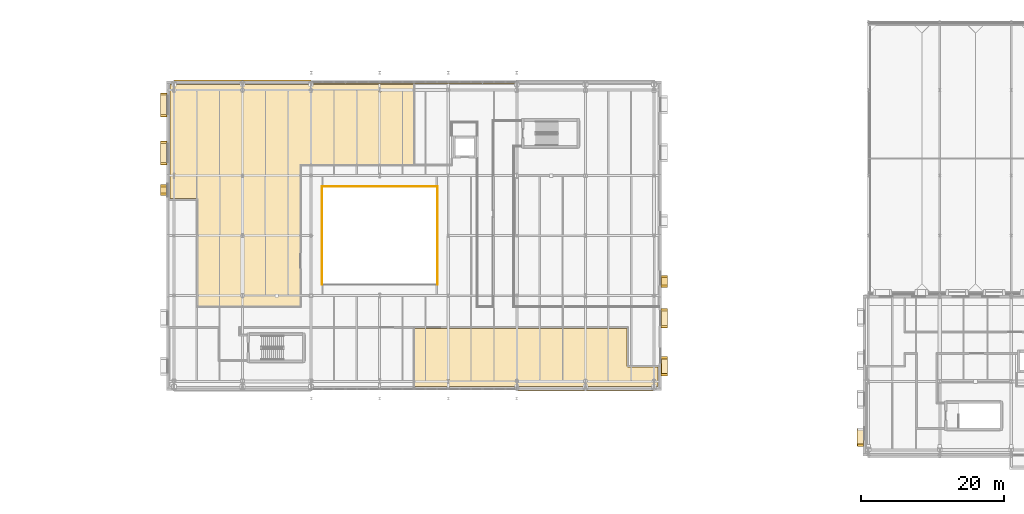
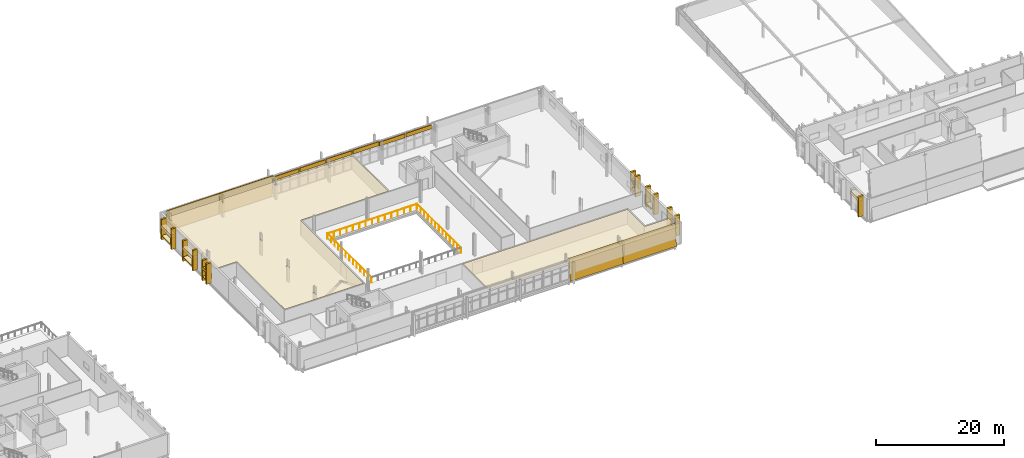
# One storey, part 53 of 57: 38 coverings, 3 railings.
"""IFC4 building model written with IfcOpenShell, lengths in metres."""

from ifc_helpers import new_model, si_unit, direction, frame, origin, origin_2d, place, context, subcontext, project, spatial, polyline, rectangle, circle, outline, extrude, material, layer, layer_set, type_object, element, save


model = new_model("IFC4")

# Units and contexts
model_context = context("Model", 3, precision=1e-05, world=origin(), true_north=direction((0.0, 1.0)))
body_context = subcontext(model_context, "Body", "Model", "MODEL_VIEW")
ifc_project = project(units=[si_unit("LENGTHUNIT", "METRE"), si_unit("AREAUNIT", "SQUARE_METRE"), si_unit("VOLUMEUNIT", "CUBIC_METRE"), si_unit("PLANEANGLEUNIT", "RADIAN"), si_unit("MASSUNIT", "GRAM", prefix="KILO")], contexts=[model_context])

# Site, building, storey
site_placement = place(None, origin())
site = spatial("IfcSite", under=ifc_project, at=site_placement, CompositionType="ELEMENT")
building_placement = place(site_placement, origin())
building = spatial("IfcBuilding", under=site, at=building_placement, Name="Zereglee Splitstone Museum", CompositionType="ELEMENT")
storey_placement = place(building_placement, frame((0.0, 0.0, 17.10009765625)))
storey = spatial("IfcBuildingStorey", under=building, at=storey_placement, Name="L03", CompositionType="ELEMENT", Elevation=17.10009765625)

# Coverings
ifc_material_1 = material(Name="Siberian larch acoustic timber ceiling", Category="wood")
ifc_layer_1 = layer(ifc_material_1, 0.06005859375)
ifc_layer_set_1 = layer_set([ifc_layer_1], Name="Siberian larch acoustic timber ceiling")
covering_type_1 = type_object("IfcCoveringType", Name="CLG-01", PredefinedType="CEILING", material=ifc_layer_set_1)
covering_1_placement = place(storey_placement, frame((0.0, 0.0, 2.760009765625)))
element("IfcCovering", 1, at=covering_1_placement, inside=storey, type_object=covering_type_1, Name="Acoustic Ceiling L03-048", PredefinedType="CEILING", context=body_context, shape_type="SweptSolid", body=[
    extrude(outline(polyline([(111.699951171875, 17.02001953125), (141.419921875, 17.02001953125), (141.419921875, 11.800048828125), (141.419921875, 11.799072265625), (141.4208984375, 11.783203125), (141.4208984375, 11.781494140625), (141.42333984375, 11.765869140625), (141.423583984375, 11.763916015625), (141.427490234375, 11.748779296875), (141.427978515625, 11.746826171875), (141.433349609375, 11.73193359375), (141.43408203125, 11.730224609375), (141.44091796875, 11.716064453125), (141.441650390625, 11.71435546875), (141.44970703125, 11.70068359375), (141.450927734375, 11.69921875), (141.460205078125, 11.6865234375), (141.46142578125, 11.68505859375), (141.471923828125, 11.67333984375), (141.473388671875, 11.672119140625), (141.485107421875, 11.66162109375), (141.486572265625, 11.660400390625), (141.499267578125, 11.65087890625), (141.500732421875, 11.64990234375), (141.514404296875, 11.6416015625), (141.51611328125, 11.640869140625), (141.5302734375, 11.634033203125), (141.531982421875, 11.63330078125), (141.546875, 11.628173828125), (141.548583984375, 11.62744140625), (141.56396484375, 11.623779296875), (141.56591796875, 11.623291015625), (141.581298828125, 11.62109375), (141.583251953125, 11.620849609375), (141.59912109375, 11.6201171875), (141.60009765625, 11.6201171875), (145.739990234375, 11.6201171875), (145.739990234375, 8.860107421875), (111.699951171875, 8.860107421875), (111.699951171875, 17.02001953125)]), holes=[polyline([(135.44189453125, 9.907958984375), (135.44189453125, 9.862060546875), (135.584228515625, 9.862060546875), (135.584228515625, 9.337890625), (135.44189453125, 9.337890625), (135.44189453125, 9.2919921875), (135.758056640625, 9.2919921875), (135.758056640625, 9.337890625), (135.61572265625, 9.337890625), (135.61572265625, 9.862060546875), (135.758056640625, 9.862060546875), (135.758056640625, 9.907958984375), (135.44189453125, 9.907958984375)]), polyline([(126.080810546875, 9.40478515625), (126.1171875, 9.42431640625), (126.1494140625, 9.45068359375), (126.175537109375, 9.482666015625), (126.195068359375, 9.519287109375), (126.20703125, 9.558837890625), (126.211181640625, 9.60009765625), (126.20703125, 9.64111328125), (126.195068359375, 9.680908203125), (126.175537109375, 9.71728515625), (126.1494140625, 9.749267578125), (126.1171875, 9.775634765625), (126.080810546875, 9.795166015625), (126.041259765625, 9.80712890625), (126.0, 9.811279296875), (125.958740234375, 9.80712890625), (125.919189453125, 9.795166015625), (125.8828125, 9.775634765625), (125.8505859375, 9.749267578125), (125.824462890625, 9.71728515625), (125.804931640625, 9.680908203125), (125.79296875, 9.64111328125), (125.788818359375, 9.60009765625), (125.79296875, 9.558837890625), (125.804931640625, 9.519287109375), (125.824462890625, 9.482666015625), (125.8505859375, 9.45068359375), (125.8828125, 9.42431640625), (125.919189453125, 9.40478515625), (125.958740234375, 9.392822265625), (126.0, 9.388916015625), (126.041259765625, 9.392822265625), (126.080810546875, 9.40478515625)]), polyline([(145.35791015625, 9.7880859375), (145.0419921875, 9.7880859375), (145.0419921875, 9.74951171875), (145.185791015625, 9.74951171875), (145.185791015625, 9.450439453125), (145.0419921875, 9.450439453125), (145.0419921875, 9.412109375), (145.35791015625, 9.412109375), (145.35791015625, 9.450439453125), (145.214111328125, 9.450439453125), (145.214111328125, 9.74951171875), (145.35791015625, 9.74951171875), (145.35791015625, 9.7880859375)]), polyline([(116.55810546875, 9.85791015625), (116.241943359375, 9.85791015625), (116.241943359375, 9.81396484375), (116.384765625, 9.81396484375), (116.384765625, 9.385986328125), (116.241943359375, 9.385986328125), (116.241943359375, 9.342041015625), (116.55810546875, 9.342041015625), (116.55810546875, 9.385986328125), (116.415283203125, 9.385986328125), (116.415283203125, 9.81396484375), (116.55810546875, 9.81396484375), (116.55810546875, 9.85791015625)])]), origin(), (0.0, 0.0, 1.0), 0.059814453125),
])
covering_2_placement = place(storey_placement, frame((0.0, 0.0, 2.760009765625)))
element("IfcCovering", 2, at=covering_2_placement, inside=storey, type_object=covering_type_1, Name="Acoustic Ceiling L03-049", PredefinedType="CEILING", context=body_context, shape_type="SweptSolid", body=[
    extrude(outline(polyline([(81.3798828125, 35.0), (81.3798828125, 35.0009765625), (81.379150390625, 35.0166015625), (81.37890625, 35.0185546875), (81.376708984375, 35.0341796875), (81.376220703125, 35.0361328125), (81.37255859375, 35.05126953125), (81.371826171875, 35.05322265625), (81.36669921875, 35.068115234375), (81.365966796875, 35.06982421875), (81.359130859375, 35.083984375), (81.3583984375, 35.085693359375), (81.35009765625, 35.09912109375), (81.34912109375, 35.100830078125), (81.339599609375, 35.11328125), (81.33837890625, 35.114990234375), (81.327880859375, 35.126708984375), (81.32666015625, 35.1279296875), (81.31494140625, 35.138427734375), (81.3134765625, 35.1396484375), (81.30078125, 35.149169921875), (81.29931640625, 35.150146484375), (81.28564453125, 35.158203125), (81.283935546875, 35.1591796875), (81.269775390625, 35.166015625), (81.26806640625, 35.166748046875), (81.253173828125, 35.171875), (81.251220703125, 35.172607421875), (81.236083984375, 35.17626953125), (81.234130859375, 35.1767578125), (81.218505859375, 35.178955078125), (81.216796875, 35.17919921875), (81.200927734375, 35.179931640625), (81.199951171875, 35.179931640625), (77.4599609375, 35.179931640625), (77.4599609375, 51.139892578125), (111.5, 51.139892578125), (111.5, 39.97998046875), (95.800048828125, 39.97998046875), (95.799072265625, 39.97998046875), (95.783203125, 39.979248046875), (95.781494140625, 39.97900390625), (95.765869140625, 39.976806640625), (95.763916015625, 39.976318359375), (95.748779296875, 39.972412109375), (95.746826171875, 39.971923828125), (95.73193359375, 39.966796875), (95.730224609375, 39.9658203125), (95.716064453125, 39.959228515625), (95.71435546875, 39.958251953125), (95.70068359375, 39.9501953125), (95.69921875, 39.94921875), (95.6865234375, 39.939697265625), (95.68505859375, 39.9384765625), (95.67333984375, 39.927978515625), (95.672119140625, 39.926513671875), (95.66162109375, 39.914794921875), (95.660400390625, 39.913330078125), (95.65087890625, 39.90087890625), (95.64990234375, 39.899169921875), (95.6416015625, 39.8857421875), (95.640869140625, 39.884033203125), (95.634033203125, 39.869873046875), (95.63330078125, 39.867919921875), (95.628173828125, 39.853271484375), (95.62744140625, 39.851318359375), (95.623779296875, 39.836181640625), (95.623291015625, 39.833984375), (95.62109375, 39.818603515625), (95.620849609375, 39.816650390625), (95.6201171875, 39.801025390625), (95.6201171875, 39.800048828125), (95.6201171875, 20.199951171875), (95.6201171875, 20.198974609375), (95.620849609375, 20.183349609375), (95.62109375, 20.181396484375), (95.62109375, 20.179931640625), (81.3798828125, 20.179931640625), (81.3798828125, 35.0)]), holes=[polyline([(87.758056640625, 21.883056640625), (87.44189453125, 21.883056640625), (87.44189453125, 21.837890625), (87.58447265625, 21.837890625), (87.58447265625, 21.362060546875), (87.44189453125, 21.362060546875), (87.44189453125, 21.31689453125), (87.758056640625, 21.31689453125), (87.758056640625, 21.362060546875), (87.615478515625, 21.362060546875), (87.615478515625, 21.837890625), (87.758056640625, 21.837890625), (87.758056640625, 21.883056640625)]), polyline([(87.44189453125, 30.258056640625), (87.44189453125, 30.214111328125), (87.584716796875, 30.214111328125), (87.584716796875, 29.785888671875), (87.44189453125, 29.785888671875), (87.44189453125, 29.741943359375), (87.758056640625, 29.741943359375), (87.758056640625, 29.785888671875), (87.615234375, 29.785888671875), (87.615234375, 30.214111328125), (87.758056640625, 30.214111328125), (87.758056640625, 30.258056640625), (87.44189453125, 30.258056640625)]), polyline([(78.157958984375, 38.758056640625), (77.842041015625, 38.758056640625), (77.842041015625, 38.7099609375), (77.9833984375, 38.7099609375), (77.9833984375, 38.090087890625), (77.842041015625, 38.090087890625), (77.842041015625, 38.0419921875), (78.157958984375, 38.0419921875), (78.157958984375, 38.090087890625), (78.0166015625, 38.090087890625), (78.0166015625, 38.7099609375), (78.157958984375, 38.7099609375), (78.157958984375, 38.758056640625)]), polyline([(87.44189453125, 38.633056640625), (87.44189453125, 38.591064453125), (87.5849609375, 38.591064453125), (87.5849609375, 38.208984375), (87.44189453125, 38.208984375), (87.44189453125, 38.1669921875), (87.758056640625, 38.1669921875), (87.758056640625, 38.208984375), (87.614990234375, 38.208984375), (87.614990234375, 38.591064453125), (87.758056640625, 38.591064453125), (87.758056640625, 38.633056640625), (87.44189453125, 38.633056640625)]), polyline([(78.157958984375, 50.73291015625), (77.842041015625, 50.73291015625), (77.842041015625, 50.68603515625), (77.98388671875, 50.68603515625), (77.98388671875, 50.114013671875), (77.842041015625, 50.114013671875), (77.842041015625, 50.06689453125), (78.157958984375, 50.06689453125), (78.157958984375, 50.114013671875), (78.01611328125, 50.114013671875), (78.01611328125, 50.68603515625), (78.157958984375, 50.68603515625), (78.157958984375, 50.73291015625)]), polyline([(87.758056640625, 50.60791015625), (87.44189453125, 50.60791015625), (87.44189453125, 50.568115234375), (87.585205078125, 50.568115234375), (87.585205078125, 50.23193359375), (87.44189453125, 50.23193359375), (87.44189453125, 50.19189453125), (87.758056640625, 50.19189453125), (87.758056640625, 50.23193359375), (87.61474609375, 50.23193359375), (87.61474609375, 50.568115234375), (87.758056640625, 50.568115234375), (87.758056640625, 50.60791015625)]), polyline([(106.64208984375, 50.68310546875), (106.64208984375, 50.637939453125), (106.784423828125, 50.637939453125), (106.784423828125, 50.162109375), (106.64208984375, 50.162109375), (106.64208984375, 50.116943359375), (106.9580078125, 50.116943359375), (106.9580078125, 50.162109375), (106.8154296875, 50.162109375), (106.8154296875, 50.637939453125), (106.9580078125, 50.637939453125), (106.9580078125, 50.68310546875), (106.64208984375, 50.68310546875)]), polyline([(97.0419921875, 50.55810546875), (97.0419921875, 50.241943359375), (97.35791015625, 50.241943359375), (97.35791015625, 50.55810546875), (97.0419921875, 50.55810546875)])]), origin(), (0.0, 0.0, 1.0), 0.059814453125),
])
ifc_material_2 = material(Name="Honed Gobi pale limestone stringcourse and soffit cladding", Category="masonry")
ifc_layer_2 = layer(ifc_material_2, 0.070068359375)
ifc_layer_set_2 = layer_set([ifc_layer_2], Name="Honed Gobi pale limestone stringcourse and soffit cladding")
covering_type_2 = type_object("IfcCoveringType", Name="CL-02", PredefinedType="CLADDING", material=ifc_layer_set_2)
for number, where, z_axis, x_axis, name in (
    (3, (174.074951171875, 0.679931640625, 0.0), (0.0, 0.0, 1.0), (0.0, -1.0, 0.0), "Mughal Window Reveal Stone Pilaster L03-0118R"),
    (4, (76.574951171875, 49.820068359375, 0.0), (0.0, 0.0, 1.0), (0.0, -1.0, 0.0), "Mughal Window Reveal Stone Pilaster L03-0125L"),
    (5, (76.574951171875, 46.780029296875, 0.0), (0.0, 0.0, 1.0), (0.0, -1.0, 0.0), "Mughal Window Reveal Stone Pilaster L03-0125R"),
):
    element("IfcCovering", number, at=place(storey_placement, frame(where, z_axis=z_axis, x_axis=x_axis)), inside=storey, type_object=covering_type_2, Name=name, PredefinedType="CLADDING", context=body_context, shape_type="SweptSolid", body=[
        extrude(rectangle(XDim=0.340087890625, YDim=0.860107421875, at=origin_2d()), origin(), (0.0, 0.0, 1.0), 3.89990234375),
    ])
covering_3_placement = place(storey_placement, frame((76.56494140625, 48.300048828125, 0.759765625), z_axis=(0.0, 0.0, 1.0), x_axis=(0.0, -1.0, 0.0)))
element("IfcCovering", 6, at=covering_3_placement, inside=storey, type_object=covering_type_2, Name="Carved Limestone Window Sill L03-0125", PredefinedType="CLADDING", context=body_context, shape_type="SweptSolid", body=[
    extrude(rectangle(XDim=3.239990234375, YDim=0.840087890625, at=origin_2d()), origin(), (0.0, 0.0, 1.0), 0.1201171875),
])
for number, where, z_axis, x_axis, name in (
    (7, (76.574951171875, 43.10009765625, 0.0), (0.0, 0.0, 1.0), (0.0, -1.0, 0.0), "Mughal Window Reveal Stone Pilaster L03-0126L"),
    (8, (76.574951171875, 40.06005859375, 0.0), (0.0, 0.0, 1.0), (0.0, -1.0, 0.0), "Mughal Window Reveal Stone Pilaster L03-0126R"),
):
    element("IfcCovering", number, at=place(storey_placement, frame(where, z_axis=z_axis, x_axis=x_axis)), inside=storey, type_object=covering_type_2, Name=name, PredefinedType="CLADDING", context=body_context, shape_type="SweptSolid", body=[
        extrude(rectangle(XDim=0.340087890625, YDim=0.860107421875, at=origin_2d()), origin(), (0.0, 0.0, 1.0), 3.89990234375),
    ])
covering_4_placement = place(storey_placement, frame((76.56494140625, 41.580078125, 0.759765625), z_axis=(0.0, 0.0, 1.0), x_axis=(0.0, -1.0, 0.0)))
element("IfcCovering", 9, at=covering_4_placement, inside=storey, type_object=covering_type_2, Name="Carved Limestone Window Sill L03-0126", PredefinedType="CLADDING", context=body_context, shape_type="SweptSolid", body=[
    extrude(rectangle(XDim=3.239990234375, YDim=0.840087890625, at=origin_2d()), origin(), (0.0, 0.0, 1.0), 0.1201171875),
])
for number, where, z_axis, x_axis, name in (
    (10, (76.574951171875, 36.985107421875, 0.0), (0.0, 0.0, 1.0), (0.0, -1.0, 0.0), "Mughal Window Reveal Stone Pilaster L03-0127L"),
    (11, (76.574951171875, 35.794921875, 0.0), (0.0, 0.0, 1.0), (0.0, -1.0, 0.0), "Mughal Window Reveal Stone Pilaster L03-0127R"),
):
    element("IfcCovering", number, at=place(storey_placement, frame(where, z_axis=z_axis, x_axis=x_axis)), inside=storey, type_object=covering_type_2, Name=name, PredefinedType="CLADDING", context=body_context, shape_type="SweptSolid", body=[
        extrude(rectangle(XDim=0.340087890625, YDim=0.860107421875, at=origin_2d()), origin(), (0.0, 0.0, 1.0), 3.89990234375),
    ])
covering_5_placement = place(storey_placement, frame((76.56494140625, 36.389892578125, 0.759765625), z_axis=(0.0, 0.0, 1.0), x_axis=(0.0, -1.0, 0.0)))
element("IfcCovering", 12, at=covering_5_placement, inside=storey, type_object=covering_type_2, Name="Carved Limestone Window Sill L03-0127", PredefinedType="CLADDING", context=body_context, shape_type="SweptSolid", body=[
    extrude(rectangle(XDim=1.389892578125, YDim=0.840087890625, at=origin_2d()), origin(), (0.0, 0.0, 1.0), 0.1201171875),
])
for number, where, z_axis, x_axis, name in (
    (13, (146.625, 10.5048828125, 0.0), (0.0, 0.0, 1.0), (0.0, 1.0, 0.0), "Mughal Window Reveal Stone Pilaster L03-0130L"),
    (14, (146.625, 12.89501953125, 0.0), (0.0, 0.0, 1.0), (0.0, 1.0, 0.0), "Mughal Window Reveal Stone Pilaster L03-0130R"),
):
    element("IfcCovering", number, at=place(storey_placement, frame(where, z_axis=z_axis, x_axis=x_axis)), inside=storey, type_object=covering_type_2, Name=name, PredefinedType="CLADDING", context=body_context, shape_type="SweptSolid", body=[
        extrude(rectangle(XDim=0.340087890625, YDim=0.860107421875, at=origin_2d()), origin(), (0.0, 0.0, 1.0), 3.89990234375),
    ])
covering_6_placement = place(storey_placement, frame((146.635009765625, 11.699951171875, 0.759765625), z_axis=(0.0, 0.0, 1.0), x_axis=(0.0, 1.0, 0.0)))
element("IfcCovering", 15, at=covering_6_placement, inside=storey, type_object=covering_type_2, Name="Carved Limestone Window Sill L03-0130", PredefinedType="CLADDING", context=body_context, shape_type="SweptSolid", body=[
    extrude(rectangle(XDim=2.590087890625, YDim=0.840087890625, at=origin_2d()), origin(), (0.0, 0.0, 1.0), 0.1201171875),
])
for number, where, z_axis, x_axis, name in (
    (16, (146.625, 17.22509765625, 0.0), (0.0, 0.0, 1.0), (0.0, 1.0, 0.0), "Mughal Window Reveal Stone Pilaster L03-0131L"),
    (17, (146.625, 19.614990234375, 0.0), (0.0, 0.0, 1.0), (0.0, 1.0, 0.0), "Mughal Window Reveal Stone Pilaster L03-0131R"),
):
    element("IfcCovering", number, at=place(storey_placement, frame(where, z_axis=z_axis, x_axis=x_axis)), inside=storey, type_object=covering_type_2, Name=name, PredefinedType="CLADDING", context=body_context, shape_type="SweptSolid", body=[
        extrude(rectangle(XDim=0.340087890625, YDim=0.860107421875, at=origin_2d()), origin(), (0.0, 0.0, 1.0), 3.89990234375),
    ])
covering_7_placement = place(storey_placement, frame((146.635009765625, 18.419921875, 0.759765625), z_axis=(0.0, 0.0, 1.0), x_axis=(0.0, 1.0, 0.0)))
element("IfcCovering", 18, at=covering_7_placement, inside=storey, type_object=covering_type_2, Name="Carved Limestone Window Sill L03-0131", PredefinedType="CLADDING", context=body_context, shape_type="SweptSolid", body=[
    extrude(rectangle(XDim=2.590087890625, YDim=0.840087890625, at=origin_2d()), origin(), (0.0, 0.0, 1.0), 0.1201171875),
])
for number, where, z_axis, x_axis, name in (
    (19, (146.625, 22.93994140625, 0.0), (0.0, 0.0, 1.0), (0.0, 1.0, 0.0), "Mughal Window Reveal Stone Pilaster L03-0132L"),
    (20, (146.625, 24.280029296875, 0.0), (0.0, 0.0, 1.0), (0.0, 1.0, 0.0), "Mughal Window Reveal Stone Pilaster L03-0132R"),
):
    element("IfcCovering", number, at=place(storey_placement, frame(where, z_axis=z_axis, x_axis=x_axis)), inside=storey, type_object=covering_type_2, Name=name, PredefinedType="CLADDING", context=body_context, shape_type="SweptSolid", body=[
        extrude(rectangle(XDim=0.340087890625, YDim=0.860107421875, at=origin_2d()), origin(), (0.0, 0.0, 1.0), 3.89990234375),
    ])
covering_8_placement = place(storey_placement, frame((146.635009765625, 23.610107421875, 0.759765625), z_axis=(0.0, 0.0, 1.0), x_axis=(0.0, 1.0, 0.0)))
element("IfcCovering", 21, at=covering_8_placement, inside=storey, type_object=covering_type_2, Name="Carved Limestone Window Sill L03-0132", PredefinedType="CLADDING", context=body_context, shape_type="SweptSolid", body=[
    extrude(rectangle(XDim=1.5400390625, YDim=0.840087890625, at=origin_2d()), origin(), (0.0, 0.0, 1.0), 0.1201171875),
])
for number, where, z_axis, x_axis, name in (
    (22, (123.6201171875, 51.47998046875, 2.804931640625), (0.0, 0.0, 1.0), (-1.0, 0.0, 0.0), "Mughal Carved Clerestory Jaali Frieze RC4-CW-L03-119-1"),
    (23, (118.780029296875, 51.47998046875, 2.784912109375), (0.0, 0.0, 1.0), (-1.0, 0.0, 0.0), "Mughal Carved Clerestory Jaali Frieze RC4-CW-L03-119-2"),
    (24, (114.02001953125, 51.47998046875, 2.9248046875), (0.0, 0.0, 1.0), (-1.0, 0.0, 0.0), "Mughal Carved Clerestory Jaali Frieze RC4-CW-L03-120-1"),
    (25, (109.179931640625, 51.47998046875, 2.90478515625), (0.0, 0.0, 1.0), (-1.0, 0.0, 0.0), "Mughal Carved Clerestory Jaali Frieze RC4-CW-L03-120-2"),
    (26, (104.419921875, 51.47998046875, 2.864990234375), (0.0, 0.0, 1.0), (-1.0, 0.0, 0.0), "Mughal Carved Clerestory Jaali Frieze RC4-CW-L03-121-1"),
    (27, (99.580078125, 51.47998046875, 2.844970703125), (0.0, 0.0, 1.0), (-1.0, 0.0, 0.0), "Mughal Carved Clerestory Jaali Frieze RC4-CW-L03-121-2"),
):
    element("IfcCovering", number, at=place(storey_placement, frame(where, z_axis=z_axis, x_axis=x_axis)), inside=storey, type_object=covering_type_2, Name=name, PredefinedType="CLADDING", context=body_context, shape_type="SweptSolid", body=[
        extrude(rectangle(XDim=4.679931640625, YDim=0.239990234375, at=origin_2d()), origin(), (0.0, 0.0, 1.0), 0.75),
    ])
covering_9_placement = place(storey_placement, frame((126.0, 8.228515625, -0.25), z_axis=(0.0, -0.995856112564, 0.090942856062), x_axis=(1.0, 0.0, 0.0)))
element("IfcCovering", 28, at=covering_9_placement, inside=storey, type_object=covering_type_2, Name="Split-Rock Continuous Inclined Facet FH-V2SE L03.1", PredefinedType="CLADDING", context=body_context, shape_type="SweptSolid", body=[
    extrude(outline(polyline([(0.0, 0.0), (9.60009765625, 0.0), (9.60009765625, 4.217427717605873), (0.0, 4.217427717605873), (0.0, 0.0)])), origin(), (0.0, 0.0, -1.0), 0.070068359375),
])
covering_10_placement = place(storey_placement, frame((135.60009765625, 8.228515625, -0.25), z_axis=(0.0, -0.995856112564, 0.090942856062), x_axis=(1.0, 0.0, 0.0)))
element("IfcCovering", 29, at=covering_10_placement, inside=storey, type_object=covering_type_2, Name="Split-Rock Continuous Inclined Facet FH-V2SE L03.2", PredefinedType="CLADDING", context=body_context, shape_type="SweptSolid", body=[
    extrude(outline(polyline([(0.0, 0.0), (9.599853515625, 0.0), (9.599853515625, 4.217427717605873), (0.0, 4.217427717605873), (0.0, 0.0)])), origin(), (0.0, 0.0, -1.0), 0.070068359375),
])
ifc_material_3 = material(Name="Honed Khoroo red sandstone ventilated rainscreen", Category="masonry")
ifc_layer_3 = layer(ifc_material_3, 0.080078125)
ifc_layer_set_3 = layer_set([ifc_layer_3], Name="Honed Khoroo red sandstone ventilated rainscreen")
covering_type_3 = type_object("IfcCoveringType", Name="CL-01", PredefinedType="CLADDING", material=ifc_layer_set_3)
covering_11_placement = place(storey_placement, frame((174.06494140625, 1.800048828125, 2.9599609375), z_axis=(0.0, 0.0, 1.0), x_axis=(0.0, -1.0, 0.0)))
element("IfcCovering", 30, at=covering_11_placement, inside=storey, type_object=covering_type_3, Name="Pointed-Arch Mughal Window Hood L03-0118", PredefinedType="CLADDING", context=body_context, shape_type="SweptSolid", body=[
    extrude(rectangle(XDim=2.43994140625, YDim=0.860107421875, at=origin_2d()), origin(), (0.0, 0.0, 1.0), 0.580078125),
])
for number, where, z_axis, x_axis, name in (
    (31, (76.56494140625, 48.300048828125, 2.159912109375), (0.0, 0.0, 1.0), (0.0, -1.0, 0.0), "Pointed-Arch Mughal Window Hood L03-0125"),
    (32, (76.56494140625, 41.580078125, 2.159912109375), (0.0, 0.0, 1.0), (0.0, -1.0, 0.0), "Pointed-Arch Mughal Window Hood L03-0126"),
):
    element("IfcCovering", number, at=place(storey_placement, frame(where, z_axis=z_axis, x_axis=x_axis)), inside=storey, type_object=covering_type_3, Name=name, PredefinedType="CLADDING", context=body_context, shape_type="SweptSolid", body=[
        extrude(rectangle(XDim=3.239990234375, YDim=0.860107421875, at=origin_2d()), origin(), (0.0, 0.0, 1.0), 0.580078125),
    ])
covering_12_placement = place(storey_placement, frame((76.56494140625, 36.389892578125, 2.059814453125), z_axis=(0.0, 0.0, 1.0), x_axis=(0.0, -1.0, 0.0)))
element("IfcCovering", 33, at=covering_12_placement, inside=storey, type_object=covering_type_3, Name="Pointed-Arch Mughal Window Hood L03-0127", PredefinedType="CLADDING", context=body_context, shape_type="SweptSolid", body=[
    extrude(rectangle(XDim=1.389892578125, YDim=0.860107421875, at=origin_2d()), origin(), (0.0, 0.0, 1.0), 0.580078125),
])
for number, where, z_axis, x_axis, name in (
    (34, (146.635009765625, 11.699951171875, 2.759765625), (0.0, 0.0, 1.0), (0.0, 1.0, 0.0), "Pointed-Arch Mughal Window Hood L03-0130"),
    (35, (146.635009765625, 18.419921875, 2.759765625), (0.0, 0.0, 1.0), (0.0, 1.0, 0.0), "Pointed-Arch Mughal Window Hood L03-0131"),
):
    element("IfcCovering", number, at=place(storey_placement, frame(where, z_axis=z_axis, x_axis=x_axis)), inside=storey, type_object=covering_type_3, Name=name, PredefinedType="CLADDING", context=body_context, shape_type="SweptSolid", body=[
        extrude(rectangle(XDim=2.590087890625, YDim=0.860107421875, at=origin_2d()), origin(), (0.0, 0.0, 1.0), 0.580078125),
    ])
covering_13_placement = place(storey_placement, frame((146.635009765625, 23.610107421875, 2.059814453125), z_axis=(0.0, 0.0, 1.0), x_axis=(0.0, 1.0, 0.0)))
element("IfcCovering", 36, at=covering_13_placement, inside=storey, type_object=covering_type_3, Name="Pointed-Arch Mughal Window Hood L03-0132", PredefinedType="CLADDING", context=body_context, shape_type="SweptSolid", body=[
    extrude(rectangle(XDim=1.5400390625, YDim=0.860107421875, at=origin_2d()), origin(), (0.0, 0.0, 1.0), 0.580078125),
])
covering_14_placement = place(storey_placement, frame((78.0, 51.373046875, 3.949951171875), z_axis=(0.0, 0.995861353668, 0.090885445868), x_axis=(1.0, 0.0, 0.0)))
element("IfcCovering", 37, at=covering_14_placement, inside=storey, type_object=covering_type_3, Name="Split-Rock Continuous Inclined Facet FH-V2NW L03.1", PredefinedType="CLADDING", context=body_context, shape_type="SweptSolid", body=[
    extrude(outline(polyline([(0.0, 0.0), (9.60009765625, 0.0), (9.60009765625, 4.2174055217682165), (0.0, 4.2174055217682165), (0.0, 0.0)])), origin(), (0.0, 0.0, -1.0), 0.080078125),
])
covering_15_placement = place(storey_placement, frame((87.60009765625, 51.373046875, 3.949951171875), z_axis=(0.0, 0.995861353668, 0.090885445868), x_axis=(1.0, 0.0, 0.0)))
element("IfcCovering", 38, at=covering_15_placement, inside=storey, type_object=covering_type_3, Name="Split-Rock Continuous Inclined Facet FH-V2NW L03.2", PredefinedType="CLADDING", context=body_context, shape_type="SweptSolid", body=[
    extrude(outline(polyline([(0.0, 0.0), (9.599853515625, 0.0), (9.599853515625, 4.217405521768217), (0.0, 4.217405521768217), (0.0, 0.0)])), origin(), (0.0, 0.0, -1.0), 0.080078125),
])

# Railings
ifc_material_4 = material(Name="Glazed laminated glass and bronze balustrade", Category="glass")
railing_type = type_object("IfcRailingType", Name="GR-02", PredefinedType="BALUSTRADE", material=ifc_material_4)
railing_1_placement = place(storey_placement, frame((114.8798828125, 23.1201171875, 0.0)))
element("IfcRailing", 39, at=railing_1_placement, inside=storey, type_object=railing_type, Name="Atrium Glazed Balustrade L03 Side 2", PredefinedType="BALUSTRADE", context=body_context, shape_type="SweptSolid", body=[
    extrude(circle(Radius=0.02392578125, at=origin_2d()), frame((0.0, 0.0, 1.076416015625), z_axis=(0.0, 1.0, 0.0), x_axis=(-1.0, 0.0, 0.0)), (0.0, 0.0, 1.0), 13.759765625),
    extrude(circle(Radius=0.02099609375, at=origin_2d()), origin(), (0.0, 0.0, 1.0), 1.052001953125),
    extrude(circle(Radius=0.02099609375, at=origin_2d()), frame((0.0, 1.146728515625, 0.0)), (0.0, 0.0, 1.0), 1.052001953125),
    extrude(circle(Radius=0.02099609375, at=origin_2d()), frame((0.0, 2.293212890625, 0.0)), (0.0, 0.0, 1.0), 1.052001953125),
    extrude(circle(Radius=0.02099609375, at=origin_2d()), frame((0.0, 3.43994140625, 0.0)), (0.0, 0.0, 1.0), 1.052001953125),
    extrude(circle(Radius=0.02099609375, at=origin_2d()), frame((0.0, 4.586669921875, 0.0)), (0.0, 0.0, 1.0), 1.052001953125),
    extrude(circle(Radius=0.02099609375, at=origin_2d()), frame((0.0, 5.733154296875, 0.0)), (0.0, 0.0, 1.0), 1.052001953125),
    extrude(circle(Radius=0.02099609375, at=origin_2d()), frame((0.0, 6.8798828125, 0.0)), (0.0, 0.0, 1.0), 1.052001953125),
    extrude(circle(Radius=0.02099609375, at=origin_2d()), frame((0.0, 8.026611328125, 0.0)), (0.0, 0.0, 1.0), 1.052001953125),
    extrude(circle(Radius=0.02099609375, at=origin_2d()), frame((0.0, 9.173095703125, 0.0)), (0.0, 0.0, 1.0), 1.052001953125),
    extrude(circle(Radius=0.02099609375, at=origin_2d()), frame((0.0, 10.31982421875, 0.0)), (0.0, 0.0, 1.0), 1.052001953125),
    extrude(circle(Radius=0.02099609375, at=origin_2d()), frame((0.0, 11.466552734375, 0.0)), (0.0, 0.0, 1.0), 1.052001953125),
    extrude(circle(Radius=0.02099609375, at=origin_2d()), frame((0.0, 12.613037109375, 0.0)), (0.0, 0.0, 1.0), 1.052001953125),
    extrude(circle(Radius=0.02099609375, at=origin_2d()), frame((0.0, 13.759765625, 0.0)), (0.0, 0.0, 1.0), 1.052001953125),
])
railing_2_placement = place(storey_placement, frame((114.8798828125, 36.8798828125, 0.0)))
element("IfcRailing", 40, at=railing_2_placement, inside=storey, type_object=railing_type, Name="Atrium Glazed Balustrade L03 Side 3", PredefinedType="BALUSTRADE", context=body_context, shape_type="SweptSolid", body=[
    extrude(circle(Radius=0.02392578125, at=origin_2d()), frame((0.0, 0.0, 1.076416015625), z_axis=(-1.0, 0.0, 0.0), x_axis=(0.0, -1.0, 0.0)), (0.0, 0.0, 1.0), 16.159912109375),
    extrude(circle(Radius=0.02099609375, at=origin_2d()), origin(), (0.0, 0.0, 1.0), 1.052001953125),
    extrude(circle(Radius=0.02099609375, at=origin_2d()), frame((-1.154296875, 0.0, 0.0)), (0.0, 0.0, 1.0), 1.052001953125),
    extrude(circle(Radius=0.02099609375, at=origin_2d()), frame((-2.30859375, 0.0, 0.0)), (0.0, 0.0, 1.0), 1.052001953125),
    extrude(circle(Radius=0.02099609375, at=origin_2d()), frame((-3.462890625, 0.0, 0.0)), (0.0, 0.0, 1.0), 1.052001953125),
    extrude(circle(Radius=0.02099609375, at=origin_2d()), frame((-4.6171875, 0.0, 0.0)), (0.0, 0.0, 1.0), 1.052001953125),
    extrude(circle(Radius=0.02099609375, at=origin_2d()), frame((-5.771484375, 0.0, 0.0)), (0.0, 0.0, 1.0), 1.052001953125),
    extrude(circle(Radius=0.02099609375, at=origin_2d()), frame((-6.92578125, 0.0, 0.0)), (0.0, 0.0, 1.0), 1.052001953125),
    extrude(circle(Radius=0.02099609375, at=origin_2d()), frame((-8.080078125, 0.0, 0.0)), (0.0, 0.0, 1.0), 1.052001953125),
    extrude(circle(Radius=0.02099609375, at=origin_2d()), frame((-9.234130859375, 0.0, 0.0)), (0.0, 0.0, 1.0), 1.052001953125),
    extrude(circle(Radius=0.02099609375, at=origin_2d()), frame((-10.388427734375, 0.0, 0.0)), (0.0, 0.0, 1.0), 1.052001953125),
    extrude(circle(Radius=0.02099609375, at=origin_2d()), frame((-11.542724609375, 0.0, 0.0)), (0.0, 0.0, 1.0), 1.052001953125),
    extrude(circle(Radius=0.02099609375, at=origin_2d()), frame((-12.697021484375, 0.0, 0.0)), (0.0, 0.0, 1.0), 1.052001953125),
    extrude(circle(Radius=0.02099609375, at=origin_2d()), frame((-13.851318359375, 0.0, 0.0)), (0.0, 0.0, 1.0), 1.052001953125),
    extrude(circle(Radius=0.02099609375, at=origin_2d()), frame((-15.005615234375, 0.0, 0.0)), (0.0, 0.0, 1.0), 1.052001953125),
    extrude(circle(Radius=0.02099609375, at=origin_2d()), frame((-16.159912109375, 0.0, 0.0)), (0.0, 0.0, 1.0), 1.052001953125),
])
railing_3_placement = place(storey_placement, frame((98.719970703125, 36.8798828125, 0.0)))
element("IfcRailing", 41, at=railing_3_placement, inside=storey, type_object=railing_type, Name="Atrium Glazed Balustrade L03 Side 4", PredefinedType="BALUSTRADE", context=body_context, shape_type="SweptSolid", body=[
    extrude(circle(Radius=0.02392578125, at=origin_2d()), frame((0.0, 0.0, 1.076416015625), z_axis=(0.0, -1.0, 0.0), x_axis=(1.0, 0.0, 0.0)), (0.0, 0.0, 1.0), 13.759765625),
    extrude(circle(Radius=0.02099609375, at=origin_2d()), origin(), (0.0, 0.0, 1.0), 1.052001953125),
    extrude(circle(Radius=0.02099609375, at=origin_2d()), frame((0.0, -1.146728515625, 0.0)), (0.0, 0.0, 1.0), 1.052001953125),
    extrude(circle(Radius=0.02099609375, at=origin_2d()), frame((0.0, -2.293212890625, 0.0)), (0.0, 0.0, 1.0), 1.052001953125),
    extrude(circle(Radius=0.02099609375, at=origin_2d()), frame((0.0, -3.43994140625, 0.0)), (0.0, 0.0, 1.0), 1.052001953125),
    extrude(circle(Radius=0.02099609375, at=origin_2d()), frame((0.0, -4.586669921875, 0.0)), (0.0, 0.0, 1.0), 1.052001953125),
    extrude(circle(Radius=0.02099609375, at=origin_2d()), frame((0.0, -5.733154296875, 0.0)), (0.0, 0.0, 1.0), 1.052001953125),
    extrude(circle(Radius=0.02099609375, at=origin_2d()), frame((0.0, -6.8798828125, 0.0)), (0.0, 0.0, 1.0), 1.052001953125),
    extrude(circle(Radius=0.02099609375, at=origin_2d()), frame((0.0, -8.026611328125, 0.0)), (0.0, 0.0, 1.0), 1.052001953125),
    extrude(circle(Radius=0.02099609375, at=origin_2d()), frame((0.0, -9.173095703125, 0.0)), (0.0, 0.0, 1.0), 1.052001953125),
    extrude(circle(Radius=0.02099609375, at=origin_2d()), frame((0.0, -10.31982421875, 0.0)), (0.0, 0.0, 1.0), 1.052001953125),
    extrude(circle(Radius=0.02099609375, at=origin_2d()), frame((0.0, -11.466552734375, 0.0)), (0.0, 0.0, 1.0), 1.052001953125),
    extrude(circle(Radius=0.02099609375, at=origin_2d()), frame((0.0, -12.613037109375, 0.0)), (0.0, 0.0, 1.0), 1.052001953125),
    extrude(circle(Radius=0.02099609375, at=origin_2d()), frame((0.0, -13.759765625, 0.0)), (0.0, 0.0, 1.0), 1.052001953125),
])

save(model, "model.ifc")
